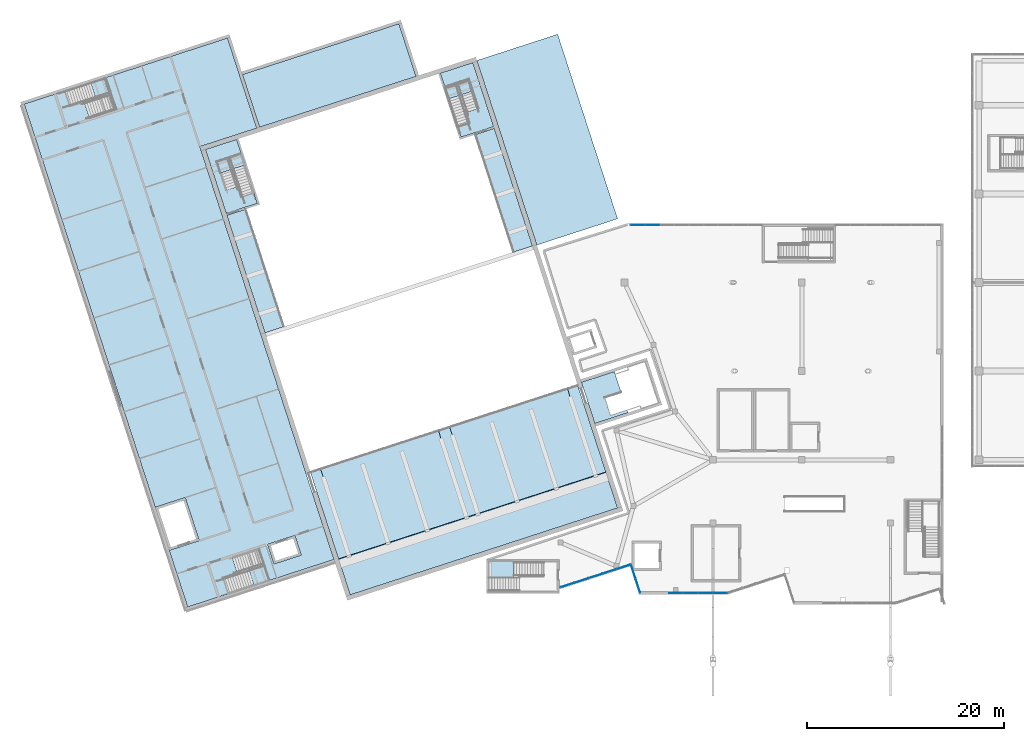
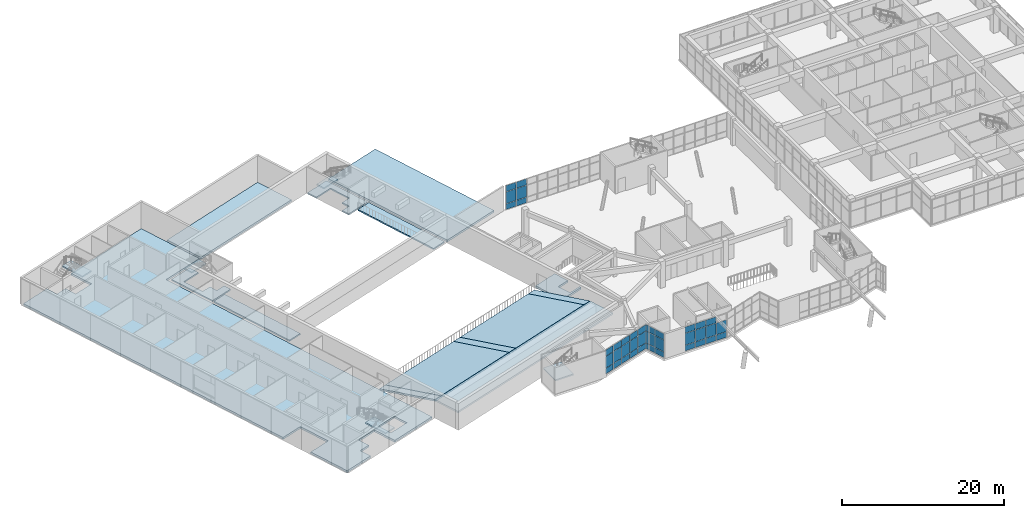
# One storey, part 47 of 65: 38 plates, 19 slabs, 9 elements without a shape of their own.
"""IFC4 building model written with IfcOpenShell, lengths in metres."""

from ifc_helpers import new_model, si_unit, direction, frame, origin, origin_2d, place, context, subcontext, project, spatial, polyline, rectangle, outline, extrude, material, layer, layer_set, type_object, element, aggregate, save


model = new_model("IFC4")

# Units and contexts
model_context = context("Model", 3, precision=1e-05, world=origin(), true_north=direction((0.0, 1.0)))
body_context = subcontext(model_context, "Body", "Model", "MODEL_VIEW")
ifc_project = project(units=[si_unit("LENGTHUNIT", "METRE"), si_unit("AREAUNIT", "SQUARE_METRE"), si_unit("VOLUMEUNIT", "CUBIC_METRE"), si_unit("PLANEANGLEUNIT", "RADIAN"), si_unit("MASSUNIT", "GRAM", prefix="KILO")], contexts=[model_context])

# Site, building, storey
site_placement = place(None, origin())
site = spatial("IfcSite", under=ifc_project, at=site_placement, CompositionType="ELEMENT")
building_placement = place(site_placement, origin())
building = spatial("IfcBuilding", under=site, at=building_placement, Name="Tuart Plaza Theatre", CompositionType="ELEMENT")
storey_placement = place(building_placement, frame((0.0, 0.0, 9.5)))
storey = spatial("IfcBuildingStorey", under=building, at=storey_placement, Name="L02", CompositionType="ELEMENT", Elevation=9.5)

# Curtain wall, plates
ifc_material_1 = material(Name="Aluminium and glass", Category="aluminium")
ifc_layer_1 = layer(ifc_material_1, 0.10009765625)
ifc_layer_set_1 = layer_set([ifc_layer_1], Name="CURTAIN WALL 1500 module")
curtain_wall_type = type_object("IfcCurtainWallType", Name="CURTAIN WALL 1500 module", PredefinedType="NOTDEFINED", material=ifc_layer_set_1)
curtain_wall_1_placement = place(storey_placement, origin())
curtain_wall_1 = element("IfcCurtainWall", 1, at=curtain_wall_1_placement, inside=storey, type_object=curtain_wall_type, Name="CW25", PredefinedType="NOTDEFINED")
ifc_material_2 = material(Name="Glass", Category="glass")
ifc_layer_2 = layer(ifc_material_2, 0.028076171875)
ifc_layer_set_2 = layer_set([ifc_layer_2], Name="CURTAIN PANEL double glazed 28")
plate_type = type_object("IfcPlateType", Name="CURTAIN PANEL double glazed 28", PredefinedType="CURTAIN_PANEL", material=ifc_layer_set_2)
plate_1_placement = place(storey_placement, frame((72.2275390625, 43.281494140625, 0.0498046875), z_axis=(0.0, 0.0, 1.0), x_axis=(0.951066723155, 0.308985579126, 0.0)))
plate_1 = element("IfcPlate", 2, at=plate_1_placement, type_object=plate_type, Name="CW25 panel 1.1", PredefinedType="CURTAIN_PANEL", context=body_context, shape_type="SweptSolid", body=[
    extrude(rectangle(XDim=1.429931640625, YDim=0.028076171875, at=origin_2d()), origin(), (0.0, 0.0, 1.0), 0.824951171875),
])
plate_2_placement = place(storey_placement, frame((72.2275390625, 43.281494140625, 0.925048828125), z_axis=(0.0, 0.0, 1.0), x_axis=(0.951066723155, 0.308985579126, 0.0)))
plate_2 = element("IfcPlate", 3, at=plate_2_placement, type_object=plate_type, Name="CW25 panel 1.2", PredefinedType="CURTAIN_PANEL", context=body_context, shape_type="SweptSolid", body=[
    extrude(rectangle(XDim=1.429931640625, YDim=0.028076171875, at=origin_2d()), origin(), (0.0, 0.0, 1.0), 1.75),
])
plate_3_placement = place(storey_placement, frame((72.2275390625, 43.281494140625, 2.72509765625), z_axis=(0.0, 0.0, 1.0), x_axis=(0.951066723155, 0.308985579126, 0.0)))
plate_3 = element("IfcPlate", 4, at=plate_3_placement, type_object=plate_type, Name="CW25 panel 1.3", PredefinedType="CURTAIN_PANEL", context=body_context, shape_type="SweptSolid", body=[
    extrude(rectangle(XDim=1.429931640625, YDim=0.028076171875, at=origin_2d()), origin(), (0.0, 0.0, 1.0), 0.925048828125),
])
plate_4_placement = place(storey_placement, frame((73.64697265625, 43.742431640625, 0.0498046875), z_axis=(0.0, 0.0, 1.0), x_axis=(0.951066723155, 0.308985579126, 0.0)))
plate_4 = element("IfcPlate", 5, at=plate_4_placement, type_object=plate_type, Name="CW25 panel 2.1", PredefinedType="CURTAIN_PANEL", context=body_context, shape_type="SweptSolid", body=[
    extrude(rectangle(XDim=1.454833984375, YDim=0.028076171875, at=origin_2d()), origin(), (0.0, 0.0, 1.0), 0.824951171875),
])
plate_5_placement = place(storey_placement, frame((73.64697265625, 43.742431640625, 0.925048828125), z_axis=(0.0, 0.0, 1.0), x_axis=(0.951066723155, 0.308985579126, 0.0)))
plate_5 = element("IfcPlate", 6, at=plate_5_placement, type_object=plate_type, Name="CW25 panel 2.2", PredefinedType="CURTAIN_PANEL", context=body_context, shape_type="SweptSolid", body=[
    extrude(rectangle(XDim=1.454833984375, YDim=0.028076171875, at=origin_2d()), origin(), (0.0, 0.0, 1.0), 1.75),
])
plate_6_placement = place(storey_placement, frame((73.64697265625, 43.742431640625, 2.72509765625), z_axis=(0.0, 0.0, 1.0), x_axis=(0.951066723155, 0.308985579126, 0.0)))
plate_6 = element("IfcPlate", 7, at=plate_6_placement, type_object=plate_type, Name="CW25 panel 2.3", PredefinedType="CURTAIN_PANEL", context=body_context, shape_type="SweptSolid", body=[
    extrude(rectangle(XDim=1.454833984375, YDim=0.028076171875, at=origin_2d()), origin(), (0.0, 0.0, 1.0), 0.925048828125),
])
plate_7_placement = place(storey_placement, frame((75.078125, 44.20751953125, 0.0498046875), z_axis=(0.0, 0.0, 1.0), x_axis=(0.951066723155, 0.308985579126, 0.0)))
plate_7 = element("IfcPlate", 8, at=plate_7_placement, type_object=plate_type, Name="CW25 panel 3.1", PredefinedType="CURTAIN_PANEL", context=body_context, shape_type="SweptSolid", body=[
    extrude(rectangle(XDim=1.454833984375, YDim=0.028076171875, at=origin_2d()), origin(), (0.0, 0.0, 1.0), 0.824951171875),
])
plate_8_placement = place(storey_placement, frame((75.078125, 44.20751953125, 0.925048828125), z_axis=(0.0, 0.0, 1.0), x_axis=(0.951066723155, 0.308985579126, 0.0)))
plate_8 = element("IfcPlate", 9, at=plate_8_placement, type_object=plate_type, Name="CW25 panel 3.2", PredefinedType="CURTAIN_PANEL", context=body_context, shape_type="SweptSolid", body=[
    extrude(rectangle(XDim=1.454833984375, YDim=0.028076171875, at=origin_2d()), origin(), (0.0, 0.0, 1.0), 1.75),
])
plate_9_placement = place(storey_placement, frame((75.078125, 44.20751953125, 2.72509765625), z_axis=(0.0, 0.0, 1.0), x_axis=(0.951066723155, 0.308985579126, 0.0)))
plate_9 = element("IfcPlate", 10, at=plate_9_placement, type_object=plate_type, Name="CW25 panel 3.3", PredefinedType="CURTAIN_PANEL", context=body_context, shape_type="SweptSolid", body=[
    extrude(rectangle(XDim=1.454833984375, YDim=0.028076171875, at=origin_2d()), origin(), (0.0, 0.0, 1.0), 0.925048828125),
])
plate_10_placement = place(storey_placement, frame((76.509521484375, 44.672607421875, 0.0498046875), z_axis=(0.0, 0.0, 1.0), x_axis=(0.951066723155, 0.308985579126, 0.0)))
plate_10 = element("IfcPlate", 11, at=plate_10_placement, type_object=plate_type, Name="CW25 panel 4.1", PredefinedType="CURTAIN_PANEL", context=body_context, shape_type="SweptSolid", body=[
    extrude(rectangle(XDim=1.454833984375, YDim=0.028076171875, at=origin_2d()), origin(), (0.0, 0.0, 1.0), 0.824951171875),
])
plate_11_placement = place(storey_placement, frame((76.509521484375, 44.672607421875, 0.925048828125), z_axis=(0.0, 0.0, 1.0), x_axis=(0.951066723155, 0.308985579126, 0.0)))
plate_11 = element("IfcPlate", 12, at=plate_11_placement, type_object=plate_type, Name="CW25 panel 4.2", PredefinedType="CURTAIN_PANEL", context=body_context, shape_type="SweptSolid", body=[
    extrude(rectangle(XDim=1.454833984375, YDim=0.028076171875, at=origin_2d()), origin(), (0.0, 0.0, 1.0), 1.75),
])
plate_12_placement = place(storey_placement, frame((76.509521484375, 44.672607421875, 2.72509765625), z_axis=(0.0, 0.0, 1.0), x_axis=(0.951066723155, 0.308985579126, 0.0)))
plate_12 = element("IfcPlate", 13, at=plate_12_placement, type_object=plate_type, Name="CW25 panel 4.3", PredefinedType="CURTAIN_PANEL", context=body_context, shape_type="SweptSolid", body=[
    extrude(rectangle(XDim=1.454833984375, YDim=0.028076171875, at=origin_2d()), origin(), (0.0, 0.0, 1.0), 0.925048828125),
])
plate_13_placement = place(storey_placement, frame((77.9287109375, 45.133544921875, 0.0498046875), z_axis=(0.0, 0.0, 1.0), x_axis=(0.951066723155, 0.308985579126, 0.0)))
plate_13 = element("IfcPlate", 14, at=plate_13_placement, type_object=plate_type, Name="CW25 panel 5.1", PredefinedType="CURTAIN_PANEL", context=body_context, shape_type="SweptSolid", body=[
    extrude(rectangle(XDim=1.429931640625, YDim=0.028076171875, at=origin_2d()), origin(), (0.0, 0.0, 1.0), 0.824951171875),
])
plate_14_placement = place(storey_placement, frame((77.9287109375, 45.133544921875, 0.925048828125), z_axis=(0.0, 0.0, 1.0), x_axis=(0.951066723155, 0.308985579126, 0.0)))
plate_14 = element("IfcPlate", 15, at=plate_14_placement, type_object=plate_type, Name="CW25 panel 5.2", PredefinedType="CURTAIN_PANEL", context=body_context, shape_type="SweptSolid", body=[
    extrude(rectangle(XDim=1.429931640625, YDim=0.028076171875, at=origin_2d()), origin(), (0.0, 0.0, 1.0), 1.75),
])
plate_15_placement = place(storey_placement, frame((77.9287109375, 45.133544921875, 2.72509765625), z_axis=(0.0, 0.0, 1.0), x_axis=(0.951066723155, 0.308985579126, 0.0)))
plate_15 = element("IfcPlate", 16, at=plate_15_placement, type_object=plate_type, Name="CW25 panel 5.3", PredefinedType="CURTAIN_PANEL", context=body_context, shape_type="SweptSolid", body=[
    extrude(rectangle(XDim=1.429931640625, YDim=0.028076171875, at=origin_2d()), origin(), (0.0, 0.0, 1.0), 0.925048828125),
])
aggregate(curtain_wall_1, [plate_1, plate_2, plate_3, plate_4, plate_5, plate_6, plate_7, plate_8, plate_9, plate_10, plate_11, plate_12, plate_13, plate_14, plate_15])

curtain_wall_2_placement = place(storey_placement, origin())
curtain_wall_2 = element("IfcCurtainWall", 17, at=curtain_wall_2_placement, inside=storey, type_object=curtain_wall_type, Name="CW26", PredefinedType="NOTDEFINED")
plate_16_placement = place(storey_placement, frame((78.89501953125, 44.635009765625, 0.0498046875), z_axis=(0.0, 0.0, 1.0), x_axis=(0.309018232516, -0.951056113998, 0.0)))
plate_16 = element("IfcPlate", 18, at=plate_16_placement, type_object=plate_type, Name="CW26 panel 1.1", PredefinedType="CURTAIN_PANEL", context=body_context, shape_type="SweptSolid", body=[
    extrude(rectangle(XDim=1.4453125, YDim=0.028076171875, at=origin_2d()), origin(), (0.0, 0.0, 1.0), 0.824951171875),
])
plate_17_placement = place(storey_placement, frame((78.89501953125, 44.635009765625, 0.925048828125), z_axis=(0.0, 0.0, 1.0), x_axis=(0.309018232516, -0.951056113998, 0.0)))
plate_17 = element("IfcPlate", 19, at=plate_17_placement, type_object=plate_type, Name="CW26 panel 1.2", PredefinedType="CURTAIN_PANEL", context=body_context, shape_type="SweptSolid", body=[
    extrude(rectangle(XDim=1.4453125, YDim=0.028076171875, at=origin_2d()), origin(), (0.0, 0.0, 1.0), 1.75),
])
plate_18_placement = place(storey_placement, frame((78.89501953125, 44.635009765625, 2.72509765625), z_axis=(0.0, 0.0, 1.0), x_axis=(0.309018232516, -0.951056113998, 0.0)))
plate_18 = element("IfcPlate", 20, at=plate_18_placement, type_object=plate_type, Name="CW26 panel 1.3", PredefinedType="CURTAIN_PANEL", context=body_context, shape_type="SweptSolid", body=[
    extrude(rectangle(XDim=1.4453125, YDim=0.028076171875, at=origin_2d()), origin(), (0.0, 0.0, 1.0), 0.925048828125),
])
plate_19_placement = place(storey_placement, frame((79.357177734375, 43.212890625, 0.0498046875), z_axis=(0.0, 0.0, 1.0), x_axis=(0.309018232516, -0.951056113998, 0.0)))
plate_19 = element("IfcPlate", 21, at=plate_19_placement, type_object=plate_type, Name="CW26 panel 2.1", PredefinedType="CURTAIN_PANEL", context=body_context, shape_type="SweptSolid", body=[
    extrude(rectangle(XDim=1.4453125, YDim=0.028076171875, at=origin_2d()), origin(), (0.0, 0.0, 1.0), 0.824951171875),
])
plate_20_placement = place(storey_placement, frame((79.357177734375, 43.212890625, 0.925048828125), z_axis=(0.0, 0.0, 1.0), x_axis=(0.309018232516, -0.951056113998, 0.0)))
plate_20 = element("IfcPlate", 22, at=plate_20_placement, type_object=plate_type, Name="CW26 panel 2.2", PredefinedType="CURTAIN_PANEL", context=body_context, shape_type="SweptSolid", body=[
    extrude(rectangle(XDim=1.4453125, YDim=0.028076171875, at=origin_2d()), origin(), (0.0, 0.0, 1.0), 1.75),
])
plate_21_placement = place(storey_placement, frame((79.357177734375, 43.212890625, 2.72509765625), z_axis=(0.0, 0.0, 1.0), x_axis=(0.309018232516, -0.951056113998, 0.0)))
plate_21 = element("IfcPlate", 23, at=plate_21_placement, type_object=plate_type, Name="CW26 panel 2.3", PredefinedType="CURTAIN_PANEL", context=body_context, shape_type="SweptSolid", body=[
    extrude(rectangle(XDim=1.4453125, YDim=0.028076171875, at=origin_2d()), origin(), (0.0, 0.0, 1.0), 0.925048828125),
])
aggregate(curtain_wall_2, [plate_16, plate_17, plate_18, plate_19, plate_20, plate_21])

curtain_wall_3_placement = place(storey_placement, origin())
curtain_wall_3 = element("IfcCurtainWall", 24, at=curtain_wall_3_placement, inside=storey, type_object=curtain_wall_type, Name="CW27", PredefinedType="NOTDEFINED")
plate_22_placement = place(storey_placement, frame((83.24658203125, 42.47802734375, 0.0498046875), z_axis=(0.0, 0.0, 1.0), x_axis=(1.0, 0.0, 0.0)))
plate_22 = element("IfcPlate", 25, at=plate_22_placement, type_object=plate_type, Name="CW27 panel 1.1", PredefinedType="CURTAIN_PANEL", context=body_context, shape_type="SweptSolid", body=[
    extrude(rectangle(XDim=1.4189453125, YDim=0.028076171875, at=origin_2d()), origin(), (0.0, 0.0, 1.0), 0.824951171875),
])
plate_23_placement = place(storey_placement, frame((83.24658203125, 42.47802734375, 0.925048828125), z_axis=(0.0, 0.0, 1.0), x_axis=(1.0, 0.0, 0.0)))
plate_23 = element("IfcPlate", 26, at=plate_23_placement, type_object=plate_type, Name="CW27 panel 1.2", PredefinedType="CURTAIN_PANEL", context=body_context, shape_type="SweptSolid", body=[
    extrude(rectangle(XDim=1.4189453125, YDim=0.028076171875, at=origin_2d()), origin(), (0.0, 0.0, 1.0), 1.75),
])
plate_24_placement = place(storey_placement, frame((83.24658203125, 42.47802734375, 2.72509765625), z_axis=(0.0, 0.0, 1.0), x_axis=(1.0, 0.0, 0.0)))
plate_24 = element("IfcPlate", 27, at=plate_24_placement, type_object=plate_type, Name="CW27 panel 1.3", PredefinedType="CURTAIN_PANEL", context=body_context, shape_type="SweptSolid", body=[
    extrude(rectangle(XDim=1.4189453125, YDim=0.028076171875, at=origin_2d()), origin(), (0.0, 0.0, 1.0), 0.925048828125),
])
plate_25_placement = place(storey_placement, frame((84.72802734375, 42.47802734375, 0.0498046875), z_axis=(0.0, 0.0, 1.0), x_axis=(1.0, 0.0, 0.0)))
plate_25 = element("IfcPlate", 28, at=plate_25_placement, type_object=plate_type, Name="CW27 panel 2.1", PredefinedType="CURTAIN_PANEL", context=body_context, shape_type="SweptSolid", body=[
    extrude(rectangle(XDim=1.444091796875, YDim=0.028076171875, at=origin_2d()), origin(), (0.0, 0.0, 1.0), 0.824951171875),
])
plate_26_placement = place(storey_placement, frame((84.72802734375, 42.47802734375, 0.925048828125), z_axis=(0.0, 0.0, 1.0), x_axis=(1.0, 0.0, 0.0)))
plate_26 = element("IfcPlate", 29, at=plate_26_placement, type_object=plate_type, Name="CW27 panel 2.2", PredefinedType="CURTAIN_PANEL", context=body_context, shape_type="SweptSolid", body=[
    extrude(rectangle(XDim=1.444091796875, YDim=0.028076171875, at=origin_2d()), origin(), (0.0, 0.0, 1.0), 1.75),
])
plate_27_placement = place(storey_placement, frame((84.72802734375, 42.47802734375, 2.72509765625), z_axis=(0.0, 0.0, 1.0), x_axis=(1.0, 0.0, 0.0)))
plate_27 = element("IfcPlate", 30, at=plate_27_placement, type_object=plate_type, Name="CW27 panel 2.3", PredefinedType="CURTAIN_PANEL", context=body_context, shape_type="SweptSolid", body=[
    extrude(rectangle(XDim=1.444091796875, YDim=0.028076171875, at=origin_2d()), origin(), (0.0, 0.0, 1.0), 0.925048828125),
])
plate_28_placement = place(storey_placement, frame((86.22216796875, 42.47802734375, 0.0498046875), z_axis=(0.0, 0.0, 1.0), x_axis=(1.0, 0.0, 0.0)))
plate_28 = element("IfcPlate", 31, at=plate_28_placement, type_object=plate_type, Name="CW27 panel 3.1", PredefinedType="CURTAIN_PANEL", context=body_context, shape_type="SweptSolid", body=[
    extrude(rectangle(XDim=1.444091796875, YDim=0.028076171875, at=origin_2d()), origin(), (0.0, 0.0, 1.0), 0.824951171875),
])
plate_29_placement = place(storey_placement, frame((86.22216796875, 42.47802734375, 0.925048828125), z_axis=(0.0, 0.0, 1.0), x_axis=(1.0, 0.0, 0.0)))
plate_29 = element("IfcPlate", 32, at=plate_29_placement, type_object=plate_type, Name="CW27 panel 3.2", PredefinedType="CURTAIN_PANEL", context=body_context, shape_type="SweptSolid", body=[
    extrude(rectangle(XDim=1.444091796875, YDim=0.028076171875, at=origin_2d()), origin(), (0.0, 0.0, 1.0), 1.75),
])
plate_30_placement = place(storey_placement, frame((86.22216796875, 42.47802734375, 2.72509765625), z_axis=(0.0, 0.0, 1.0), x_axis=(1.0, 0.0, 0.0)))
plate_30 = element("IfcPlate", 33, at=plate_30_placement, type_object=plate_type, Name="CW27 panel 3.3", PredefinedType="CURTAIN_PANEL", context=body_context, shape_type="SweptSolid", body=[
    extrude(rectangle(XDim=1.444091796875, YDim=0.028076171875, at=origin_2d()), origin(), (0.0, 0.0, 1.0), 0.925048828125),
])
plate_31_placement = place(storey_placement, frame((87.70361328125, 42.47802734375, 0.0498046875), z_axis=(0.0, 0.0, 1.0), x_axis=(1.0, 0.0, 0.0)))
plate_31 = element("IfcPlate", 34, at=plate_31_placement, type_object=plate_type, Name="CW27 panel 4.1", PredefinedType="CURTAIN_PANEL", context=body_context, shape_type="SweptSolid", body=[
    extrude(rectangle(XDim=1.4189453125, YDim=0.028076171875, at=origin_2d()), origin(), (0.0, 0.0, 1.0), 0.824951171875),
])
plate_32_placement = place(storey_placement, frame((87.70361328125, 42.47802734375, 0.925048828125), z_axis=(0.0, 0.0, 1.0), x_axis=(1.0, 0.0, 0.0)))
plate_32 = element("IfcPlate", 35, at=plate_32_placement, type_object=plate_type, Name="CW27 panel 4.2", PredefinedType="CURTAIN_PANEL", context=body_context, shape_type="SweptSolid", body=[
    extrude(rectangle(XDim=1.4189453125, YDim=0.028076171875, at=origin_2d()), origin(), (0.0, 0.0, 1.0), 1.75),
])
aggregate(curtain_wall_3, [plate_22, plate_23, plate_24, plate_25, plate_26, plate_27, plate_28, plate_29, plate_30, plate_31, plate_32])

curtain_wall_4_placement = place(storey_placement, origin())
curtain_wall_4 = element("IfcCurtainWall", 36, at=curtain_wall_4_placement, inside=storey, type_object=curtain_wall_type, Name="CW35", PredefinedType="NOTDEFINED")
plate_33_placement = place(storey_placement, frame((79.351318359375, 79.8369140625, 0.0498046875), z_axis=(0.0, 0.0, 1.0), x_axis=(1.0, 0.0, 0.0)))
plate_33 = element("IfcPlate", 37, at=plate_33_placement, type_object=plate_type, Name="CW35 panel 1.1", PredefinedType="CURTAIN_PANEL", context=body_context, shape_type="SweptSolid", body=[
    extrude(rectangle(XDim=1.41455078125, YDim=0.028076171875, at=origin_2d()), origin(), (0.0, 0.0, 1.0), 0.824951171875),
])
plate_34_placement = place(storey_placement, frame((79.351318359375, 79.8369140625, 0.925048828125), z_axis=(0.0, 0.0, 1.0), x_axis=(1.0, 0.0, 0.0)))
plate_34 = element("IfcPlate", 38, at=plate_34_placement, type_object=plate_type, Name="CW35 panel 1.2", PredefinedType="CURTAIN_PANEL", context=body_context, shape_type="SweptSolid", body=[
    extrude(rectangle(XDim=1.41455078125, YDim=0.028076171875, at=origin_2d()), origin(), (0.0, 0.0, 1.0), 1.75),
])
plate_35_placement = place(storey_placement, frame((79.351318359375, 79.8369140625, 2.72509765625), z_axis=(0.0, 0.0, 1.0), x_axis=(1.0, 0.0, 0.0)))
plate_35 = element("IfcPlate", 39, at=plate_35_placement, type_object=plate_type, Name="CW35 panel 1.3", PredefinedType="CURTAIN_PANEL", context=body_context, shape_type="SweptSolid", body=[
    extrude(rectangle(XDim=1.41455078125, YDim=0.028076171875, at=origin_2d()), origin(), (0.0, 0.0, 1.0), 0.925048828125),
])
plate_36_placement = place(storey_placement, frame((80.828369140625, 79.8369140625, 0.0498046875), z_axis=(0.0, 0.0, 1.0), x_axis=(1.0, 0.0, 0.0)))
plate_36 = element("IfcPlate", 40, at=plate_36_placement, type_object=plate_type, Name="CW35 panel 2.1", PredefinedType="CURTAIN_PANEL", context=body_context, shape_type="SweptSolid", body=[
    extrude(rectangle(XDim=1.439453125, YDim=0.028076171875, at=origin_2d()), origin(), (0.0, 0.0, 1.0), 0.824951171875),
])
plate_37_placement = place(storey_placement, frame((80.828369140625, 79.8369140625, 0.925048828125), z_axis=(0.0, 0.0, 1.0), x_axis=(1.0, 0.0, 0.0)))
plate_37 = element("IfcPlate", 41, at=plate_37_placement, type_object=plate_type, Name="CW35 panel 2.2", PredefinedType="CURTAIN_PANEL", context=body_context, shape_type="SweptSolid", body=[
    extrude(rectangle(XDim=1.439453125, YDim=0.028076171875, at=origin_2d()), origin(), (0.0, 0.0, 1.0), 1.75),
])
plate_38_placement = place(storey_placement, frame((80.828369140625, 79.8369140625, 2.72509765625), z_axis=(0.0, 0.0, 1.0), x_axis=(1.0, 0.0, 0.0)))
plate_38 = element("IfcPlate", 42, at=plate_38_placement, type_object=plate_type, Name="CW35 panel 2.3", PredefinedType="CURTAIN_PANEL", context=body_context, shape_type="SweptSolid", body=[
    extrude(rectangle(XDim=1.439453125, YDim=0.028076171875, at=origin_2d()), origin(), (0.0, 0.0, 1.0), 0.925048828125),
])
aggregate(curtain_wall_4, [plate_33, plate_34, plate_35, plate_36, plate_37, plate_38])

# Slabs
ifc_material_3 = material(Name="Concrete N40 (40 MPa)", Category="concrete")
ifc_layer_3 = layer(ifc_material_3, 0.199951171875)
ifc_layer_set_3 = layer_set([ifc_layer_3], Name="SLAB Floor 200 Concrete N40 (40 MPa)")
slab_type_1 = type_object("IfcSlabType", Name="SLAB Floor 200 Concrete N40 (40 MPa)", PredefinedType="FLOOR", material=ifc_layer_set_3)
slab_1_placement = place(storey_placement, frame((0.0, 0.0, -0.199951171875)))
element("IfcSlab", 43, at=slab_1_placement, inside=storey, type_object=slab_type_1, Name="S5", PredefinedType="FLOOR", context=body_context, shape_type="SweptSolid", body=[
    extrude(outline(polyline([(35.45068359375, 87.50634765625), (37.559814453125, 81.015380859375), (40.721923828125, 82.042724609375), (40.38818359375, 83.06982421875), (39.114013671875, 82.65576171875), (38.75537109375, 83.759033203125), (37.4951171875, 83.349609375), (36.531005859375, 86.31689453125), (39.065673828125, 87.140380859375), (38.613037109375, 88.53369140625), (35.45068359375, 87.50634765625)])), origin(), (0.0, 0.0, 1.0), 0.199951171875),
])
slab_2_placement = place(storey_placement, frame((0.0, 0.0, -0.199951171875)))
element("IfcSlab", 44, at=slab_2_placement, inside=storey, type_object=slab_type_1, Name="S10", PredefinedType="FLOOR", context=body_context, shape_type="SweptSolid", body=[
    extrude(outline(polyline([(62.21435546875, 94.661865234375), (63.178466796875, 91.694580078125), (61.91845703125, 91.28515625), (62.27685546875, 90.181884765625), (61.07373046875, 89.791015625), (61.407470703125, 88.763916015625), (64.71240234375, 89.837646484375), (62.603271484375, 96.32861328125), (59.29833984375, 95.2548828125), (59.751220703125, 93.861572265625), (62.21435546875, 94.661865234375)])), origin(), (0.0, 0.0, 1.0), 0.199951171875),
])
slab_3_placement = place(storey_placement, frame((0.0, 0.0, -0.199951171875)))
element("IfcSlab", 45, at=slab_3_placement, inside=storey, type_object=slab_type_1, Name="S54", PredefinedType="FLOOR", context=body_context, shape_type="SweptSolid", body=[
    extrude(outline(polyline([(43.40185546875, 69.50732421875), (39.523681640625, 81.443115234375), (37.62158203125, 80.8251953125), (41.499755859375, 68.889404296875), (43.40185546875, 69.50732421875)])), origin(), (0.0, 0.0, 1.0), 0.199951171875),
])
slab_4_placement = place(storey_placement, frame((0.0, 0.0, -0.199951171875)))
element("IfcSlab", 46, at=slab_4_placement, inside=storey, type_object=slab_type_1, Name="S55", PredefinedType="FLOOR", context=body_context, shape_type="SweptSolid", body=[
    extrude(outline(polyline([(68.65234375, 77.711669921875), (64.774169921875, 89.6474609375), (62.8720703125, 89.029541015625), (66.750244140625, 77.09375), (68.65234375, 77.711669921875)])), origin(), (0.0, 0.0, 1.0), 0.199951171875),
])
ifc_material_4 = material(Name="Concrete N40 (40 MPa)", Category="concrete")
ifc_layer_4 = layer(ifc_material_4, 0.25)
ifc_layer_set_4 = layer_set([ifc_layer_4], Name="SLAB Floor 250 Concrete N40 (40 MPa)")
slab_type_2 = type_object("IfcSlabType", Name="SLAB Floor 250 Concrete N40 (40 MPa)", PredefinedType="FLOOR", material=ifc_layer_set_4)
slab_5_placement = place(storey_placement, frame((48.956298828125, 45.93994140625, 2.3798828125), z_axis=(-0.086202134713, 0.26516593485, 0.960341719892), x_axis=(0.951009600998, 0.309161347536, 0.0)))
element("IfcSlab", 47, at=slab_5_placement, inside=storey, type_object=slab_type_2, Name="S43", PredefinedType="FLOOR", context=body_context, shape_type="SweptSolid", body=[
    extrude(outline(polyline([(0.0, 0.0), (1.1000336663556183, 0.0), (1.1014666265312392, 9.611493730116662), (0.0014329601756211119, 9.611493730116662), (0.0, 0.0)])), origin(), (0.0, 0.0, -1.0), 0.25),
])
slab_6_placement = place(storey_placement, frame((61.962158203125, 50.165771484375, 2.3798828125), z_axis=(-0.086178579578, 0.265173588512, 0.960341720627), x_axis=(0.951037059258, 0.309076870563, 0.0)))
element("IfcSlab", 48, at=slab_6_placement, inside=storey, type_object=slab_type_2, Name="S44", PredefinedType="FLOOR", context=body_context, shape_type="SweptSolid", body=[
    extrude(outline(polyline([(0.0, 0.0), (1.1998620559959097, 0.0), (1.2004751105695566, 9.611493817383998), (0.0006130545736469452, 9.611493817383998), (0.0, 0.0)])), origin(), (0.0, 0.0, -1.0), 0.25),
])
slab_7_placement = place(storey_placement, frame((75.06298828125, 54.422607421875, 2.3798828125), z_axis=(-0.086136744543, 0.265186076681, 0.960342025517), x_axis=(0.951075661285, 0.308958065807, -9.180118e-06)))
element("IfcSlab", 49, at=slab_7_placement, inside=storey, type_object=slab_type_2, Name="S45", PredefinedType="FLOOR", context=body_context, shape_type="SweptSolid", body=[
    extrude(outline(polyline([(0.0, 0.0), (1.0999582119651294, 1.1102230246251565e-16), (1.0994428290535492, 9.61149382311182), (-0.0007475791179486666, 9.611566261551555), (0.0, 0.0)])), origin(), (0.0, 0.0, -1.0), 0.25),
])
slab_8_placement = place(storey_placement, frame((0.0, 0.0, 2.14990234375)))
element("IfcSlab", 50, at=slab_8_placement, inside=storey, type_object=slab_type_2, Name="S46", PredefinedType="FLOOR", context=body_context, shape_type="SweptSolid", body=[
    extrude(outline(polyline([(77.297119140625, 51.10595703125), (76.130615234375, 54.6962890625), (48.97802734375, 45.873779296875), (50.14453125, 42.283447265625), (77.297119140625, 51.10595703125)])), origin(), (0.0, 0.0, 1.0), 0.25),
])
ifc_material_5 = material(Name="Concrete N40 (40 MPa)", Category="concrete")
ifc_layer_5 = layer(ifc_material_5, 0.300048828125)
ifc_layer_set_5 = layer_set([ifc_layer_5], Name="SLAB Floor 300 Concrete N40 (40 MPa)")
slab_type_3 = type_object("IfcSlabType", Name="SLAB Floor 300 Concrete N40 (40 MPa)", PredefinedType="FLOOR", material=ifc_layer_set_5)
slab_9_placement = place(storey_placement, frame((0.0, 0.0, -0.300048828125)))
element("IfcSlab", 51, at=slab_9_placement, inside=storey, type_object=slab_type_3, Name="S3", PredefinedType="FLOOR", context=body_context, shape_type="SweptSolid", body=[
    extrude(outline(polyline([(74.982666015625, 59.685546875), (78.330322265625, 60.7734375), (78.245361328125, 61.034912109375), (76.571533203125, 60.490966796875), (75.9765625, 62.32177734375), (77.650390625, 62.86572265625), (76.970703125, 64.9580078125), (73.622802734375, 63.870361328125), (74.982666015625, 59.685546875)])), origin(), (0.0, 0.0, 1.0), 0.300048828125),
])
slab_10_placement = place(storey_placement, frame((0.0, 0.0, -0.300048828125)))
element("IfcSlab", 52, at=slab_10_placement, inside=storey, type_object=slab_type_3, Name="S29", PredefinedType="FLOOR", context=body_context, shape_type="SweptSolid", body=[
    extrude(outline(polyline([(21.148193359375, 93.45263671875), (17.049072265625, 92.12060546875), (30.352294921875, 51.177734375), (33.395751953125, 52.16650390625), (34.817138671875, 47.791748046875), (31.773681640625, 46.802978515625), (33.643310546875, 41.049072265625), (37.742431640625, 42.380859375), (37.217041015625, 43.99755859375), (38.70068359375, 44.479736328125), (38.17529296875, 46.096435546875), (40.933349609375, 46.99267578125), (41.984130859375, 43.759033203125), (48.503662109375, 45.87744140625), (34.8837890625, 87.795166015625), (40.661376953125, 89.67236328125), (37.68701171875, 98.826416015625), (25.389892578125, 94.830810546875), (26.4404296875, 91.59716796875), (23.6826171875, 90.700927734375), (23.1572265625, 92.31787109375), (21.673583984375, 91.835693359375), (21.148193359375, 93.45263671875)]), holes=[polyline([(44.529541015625, 48.31884765625), (41.771484375, 47.422607421875), (42.42041015625, 45.425537109375), (45.178466796875, 46.321533203125), (44.529541015625, 48.31884765625)])]), origin(), (0.0, 0.0, 1.0), 0.300048828125),
])
ifc_material_6 = material(Name="Concrete N40 (40 MPa)", Category="concrete")
ifc_layer_6 = layer(ifc_material_6, 0.300048828125)
ifc_layer_set_6 = layer_set([ifc_layer_6], Name="SLAB Roof 300 Concrete N40 (40 MPa)")
slab_type_4 = type_object("IfcSlabType", Name="SLAB Roof 300 Concrete N40 (40 MPa)", PredefinedType="ROOF", material=ifc_layer_set_6)
slab_11_placement = place(storey_placement, frame((0.0, 0.0, -0.300048828125)))
element("IfcSlab", 53, at=slab_11_placement, inside=storey, type_object=slab_type_4, Name="SR2", PredefinedType="ROOF", context=body_context, shape_type="SweptSolid", body=[
    extrude(outline(polyline([(56.829345703125, 94.92578125), (55.091064453125, 100.275390625), (39.20849609375, 95.11474609375), (40.946533203125, 89.76513671875), (56.829345703125, 94.92578125)])), origin(), (0.0, 0.0, 1.0), 0.300048828125),
])
slab_12_placement = place(storey_placement, frame((0.0, 0.0, -0.300048828125)))
element("IfcSlab", 54, at=slab_12_placement, inside=storey, type_object=slab_type_4, Name="SR3", PredefinedType="ROOF", context=body_context, shape_type="SweptSolid", body=[
    extrude(outline(polyline([(77.298583984375, 80.468505859375), (71.2109375, 99.204345703125), (63.008056640625, 96.5390625), (69.095703125, 77.80322265625), (77.298583984375, 80.468505859375)])), origin(), (0.0, 0.0, 1.0), 0.300048828125),
])
ifc_material_7 = material(Name="Concrete N40 (40 MPa)", Category="concrete")
ifc_layer_7 = layer(ifc_material_7, 0.25)
ifc_layer_set_7 = layer_set([ifc_layer_7], Name="SLAB Seating Tier 250 Concrete N40 (40 MPa)")
slab_type_5 = type_object("IfcSlabType", Name="SLAB Seating Tier 250 Concrete N40 (40 MPa)", PredefinedType="USERDEFINED", material=ifc_layer_set_7)
slab_13_placement = place(storey_placement, frame((50.00244140625, 46.280029296875, 2.3798828125), z_axis=(-0.08615776576, 0.2651803513, 0.960341720787), x_axis=(0.951061315666, 0.309002223041, 0.0)))
element("IfcSlab", 55, at=slab_13_placement, inside=storey, type_object=slab_type_5, Name="TR6", ObjectType="SEATING TIER", PredefinedType="USERDEFINED", context=body_context, shape_type="SweptSolid", body=[
    extrude(outline(polyline([(0.0, 0.0), (12.57512696592648, 0.0), (12.575015535990397, 9.611493836289453), (-0.0001114299360813753, 9.611493836289451), (0.0, 0.0)])), origin(), (0.0, 0.0, -1.0), 0.25),
])
slab_14_placement = place(storey_placement, frame((63.103271484375, 50.53662109375, 2.3798828125), z_axis=(-0.086163132836, 0.265177502459, 0.96034202591), x_axis=(0.951055537917, 0.309020005496, 8.03235e-07)))
element("IfcSlab", 56, at=slab_14_placement, inside=storey, type_object=slab_type_5, Name="TR7", ObjectType="SEATING TIER", PredefinedType="USERDEFINED", context=body_context, shape_type="SweptSolid", body=[
    extrude(outline(polyline([(0.0, 0.0), (12.575202408061582, 8.881784197001252e-16), (12.575029218483065, 9.611566289064232), (5.900171491961846e-05, 9.611493836748528), (0.0, 0.0)])), origin(), (0.0, 0.0, -1.0), 0.25),
])

# Stair, slab
ifc_material_8 = material(Name="Concrete N40 (40 MPa)", Category="concrete")
stair_type_1 = type_object("IfcStairType", Name="STAIR half turn 1600", PredefinedType="HALF_TURN_STAIR", material=ifc_material_8)
stair_1_placement = place(storey_placement, origin())
stair_1 = element("IfcStair", 57, at=stair_1_placement, inside=storey, type_object=stair_type_1, Name="SA-1", PredefinedType="HALF_TURN_STAIR")
ifc_material_9 = material(Name="Concrete N40 (40 MPa)", Category="concrete")
ifc_layer_8 = layer(ifc_material_9, 0.199951171875)
ifc_layer_set_8 = layer_set([ifc_layer_8], Name="STAIR LANDING 200")
slab_type_6 = type_object("IfcSlabType", Name="STAIR LANDING 200", PredefinedType="LANDING", material=ifc_layer_set_8)
slab_15_placement = place(storey_placement, frame((0.0, 0.0, 1.800048828125)))
slab_15 = element("IfcSlab", 58, at=slab_15_placement, type_object=slab_type_6, Name="SA-1 landing 1", PredefinedType="LANDING", context=body_context, shape_type="SweptSolid", body=[
    extrude(outline(polyline([(40.3857421875, 43.24169921875), (41.93603515625, 43.74560546875), (40.886474609375, 46.975341796875), (39.336181640625, 46.4716796875), (40.3857421875, 43.24169921875)])), origin(), (0.0, 0.0, 1.0), 0.199951171875),
])
aggregate(stair_1, [slab_15])

stair_2_placement = place(storey_placement, origin())
stair_2 = element("IfcStair", 59, at=stair_2_placement, inside=storey, type_object=stair_type_1, Name="SA-2", PredefinedType="HALF_TURN_STAIR")
slab_16_placement = place(storey_placement, frame((0.0, 0.0, 1.800048828125)))
slab_16 = element("IfcSlab", 60, at=slab_16_placement, type_object=slab_type_6, Name="SA-2 landing 1", PredefinedType="LANDING", context=body_context, shape_type="SweptSolid", body=[
    extrude(outline(polyline([(23.792724609375, 94.309814453125), (25.343017578125, 94.8134765625), (26.392333984375, 91.583740234375), (24.842041015625, 91.079833984375), (23.792724609375, 94.309814453125)])), origin(), (0.0, 0.0, 1.0), 0.199951171875),
])
aggregate(stair_2, [slab_16])

ifc_material_10 = material(Name="Concrete N40 (40 MPa)", Category="concrete")
stair_type_2 = type_object("IfcStairType", Name="STAIR half turn 1200", PredefinedType="HALF_TURN_STAIR", material=ifc_material_10)
stair_3_placement = place(storey_placement, origin())
stair_3 = element("IfcStair", 61, at=stair_3_placement, inside=storey, type_object=stair_type_2, Name="SA-4", PredefinedType="HALF_TURN_STAIR")
slab_17_placement = place(storey_placement, frame((0.0, 0.0, 1.800048828125)))
slab_17 = element("IfcSlab", 62, at=slab_17_placement, type_object=slab_type_6, Name="SA-4 landing 1", PredefinedType="LANDING", context=body_context, shape_type="SweptSolid", body=[
    extrude(outline(polyline([(39.459228515625, 85.92236328125), (39.0791015625, 87.09228515625), (36.593994140625, 86.284912109375), (36.97412109375, 85.114990234375), (39.459228515625, 85.92236328125)])), origin(), (0.0, 0.0, 1.0), 0.199951171875),
])
aggregate(stair_3, [slab_17])

stair_4_placement = place(storey_placement, origin())
stair_4 = element("IfcStair", 63, at=stair_4_placement, inside=storey, type_object=stair_type_2, Name="SA-5", PredefinedType="HALF_TURN_STAIR")
slab_18_placement = place(storey_placement, frame((0.0, 0.0, 1.800048828125)))
slab_18 = element("IfcSlab", 64, at=slab_18_placement, type_object=slab_type_6, Name="SA-5 landing 1", PredefinedType="LANDING", context=body_context, shape_type="SweptSolid", body=[
    extrude(outline(polyline([(60.13720703125, 92.64111328125), (59.757080078125, 93.81103515625), (62.182373046875, 94.598876953125), (62.5625, 93.42919921875), (60.13720703125, 92.64111328125)])), origin(), (0.0, 0.0, 1.0), 0.199951171875),
])
aggregate(stair_4, [slab_18])

ifc_material_11 = material(Name="Concrete N40 (40 MPa)", Category="concrete")
stair_type_3 = type_object("IfcStairType", Name="STAIR half turn 1400", PredefinedType="HALF_TURN_STAIR", material=ifc_material_11)
stair_5_placement = place(storey_placement, origin())
stair_5 = element("IfcStair", 65, at=stair_5_placement, inside=storey, type_object=stair_type_3, Name="SB-3", PredefinedType="HALF_TURN_STAIR")
slab_19_placement = place(storey_placement, frame((0.0, 0.0, 1.800048828125)))
slab_19 = element("IfcSlab", 66, at=slab_19_placement, type_object=slab_type_6, Name="SB-3 landing 1", PredefinedType="LANDING", context=body_context, shape_type="SweptSolid", body=[
    extrude(outline(polyline([(66.7900390625, 45.64794921875), (64.201904296875, 45.64794921875), (64.201904296875, 42.652099609375), (66.7900390625, 42.652099609375), (66.7900390625, 45.64794921875)])), origin(), (0.0, 0.0, 1.0), 0.199951171875),
])
aggregate(stair_5, [slab_19])

save(model, "model.ifc")
